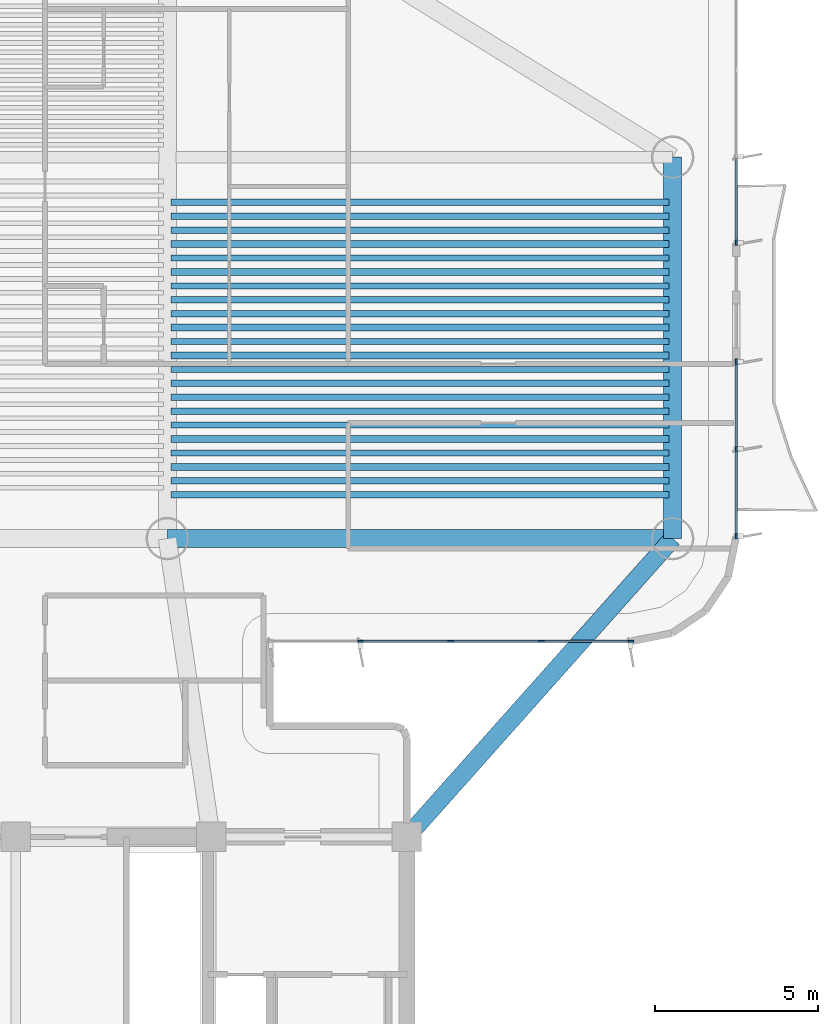
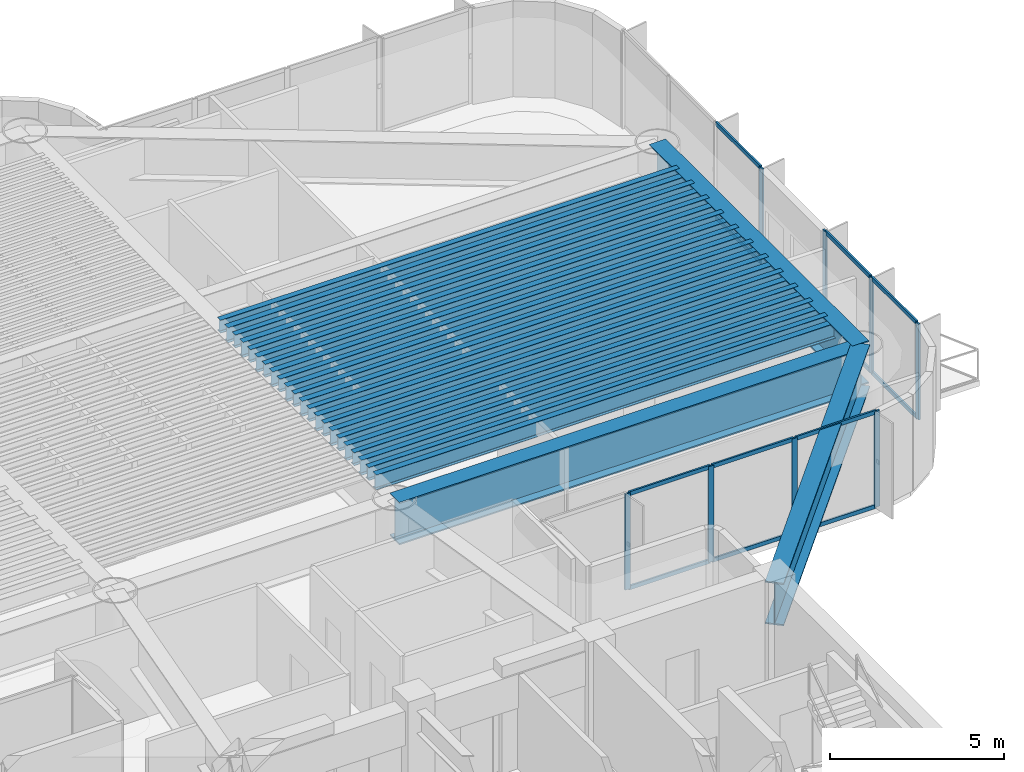
# One storey, part 4 of 15: 25 beams, 20 members, 3 elements without a shape of their own.
"""IFC4 building model written with IfcOpenShell, lengths in metres."""

from ifc_helpers import new_model, si_unit, direction, frame, origin, origin_2d, place, context, subcontext, project, spatial, rectangle, i_section, extrude, source, transform, mapped, material, layer, layer_set, material_profile, profile_set, type_object, element, aggregate, save


model = new_model("IFC4")

# Units and contexts
model_context = context("Model", 3, precision=1e-05, world=origin(), true_north=direction((0.0, 1.0)))
body_context = subcontext(model_context, "Body", "Model", "MODEL_VIEW")
ifc_project = project(units=[si_unit("LENGTHUNIT", "METRE"), si_unit("AREAUNIT", "SQUARE_METRE"), si_unit("VOLUMEUNIT", "CUBIC_METRE"), si_unit("PLANEANGLEUNIT", "RADIAN"), si_unit("MASSUNIT", "GRAM", prefix="KILO")], contexts=[model_context])

# Site, building, storey
site_placement = place(None, origin())
site = spatial("IfcSite", under=ifc_project, at=site_placement, CompositionType="ELEMENT")
building_placement = place(site_placement, origin())
building = spatial("IfcBuilding", under=site, at=building_placement, Name="Brelvock Crest Care Tower", CompositionType="ELEMENT")
storey_placement = place(building_placement, frame((0.0, 0.0, 142.739990234375)))
storey = spatial("IfcBuildingStorey", under=building, at=storey_placement, Name="L36", CompositionType="ELEMENT", Elevation=142.739990234375)

# Beams
ifc_material_1 = material(Name="Steel Grade 350", Category="steel")
ifc_material_profile_1 = material_profile(ifc_material_1, i_section(OverallWidth=0.208984375, OverallDepth=0.532958984375, WebThickness=0.01025390625, FlangeThickness=0.015625, FilletRadius=0.013916015625, at=origin_2d()), Name="530UB92.4")
ifc_profile_set_1 = profile_set([ifc_material_profile_1], Name="Steel Grade 350")
beam_type_1 = type_object("IfcBeamType", Name="BM-G2", PredefinedType="BEAM", material=ifc_profile_set_1)
shared_shape_1 = source(origin(), body_context, "Body", "SweptSolid", [
    extrude(i_section(OverallWidth=0.208984375, OverallDepth=0.532958984375, WebThickness=0.01025390625, FlangeThickness=0.015625, FilletRadius=0.013916015625, at=origin_2d()), origin(), (0.0, 0.0, 1.0), 15.27001953125),
])
for number, where, z_axis, x_axis, name in (
    (1, (40.764892578125, 28.49560546875, 3.10546875), (1.0, 0.0, 0.0), (0.0, 1.0, 0.0), "BM-JE-L36-3"),
    (2, (40.764892578125, 29.349609375, 3.10546875), (1.0, 0.0, 0.0), (0.0, 1.0, 0.0), "BM-JE-L36-5"),
    (3, (40.764892578125, 30.20361328125, 3.10546875), (1.0, 0.0, 0.0), (0.0, 1.0, 0.0), "BM-JE-L36-7"),
    (4, (40.764892578125, 31.057861328125, 3.10546875), (1.0, 0.0, 0.0), (0.0, 1.0, 0.0), "BM-JE-L36-9"),
    (5, (40.764892578125, 31.911865234375, 3.10546875), (1.0, 0.0, 0.0), (0.0, 1.0, 0.0), "BM-JE-L36-11"),
    (6, (40.764892578125, 32.76611328125, 3.10546875), (1.0, 0.0, 0.0), (0.0, 1.0, 0.0), "BM-JE-L36-13"),
    (7, (40.764892578125, 33.6201171875, 3.10546875), (1.0, 0.0, 0.0), (0.0, 1.0, 0.0), "BM-JE-L36-15"),
    (8, (40.764892578125, 34.47412109375, 3.10546875), (1.0, 0.0, 0.0), (0.0, 1.0, 0.0), "BM-JE-L36-17"),
    (9, (40.764892578125, 35.328369140625, 3.10546875), (1.0, 0.0, 0.0), (0.0, 1.0, 0.0), "BM-JE-L36-19"),
    (10, (40.764892578125, 36.182373046875, 3.10546875), (1.0, 0.0, 0.0), (0.0, 1.0, 0.0), "BM-JE-L36-21"),
    (11, (40.764892578125, 37.03662109375, 3.10546875), (1.0, 0.0, 0.0), (0.0, 1.0, 0.0), "BM-JE-L36-23"),
):
    element("IfcBeam", number, at=place(storey_placement, frame(where, z_axis=z_axis, x_axis=x_axis)), inside=storey, type_object=beam_type_1, Name=name, PredefinedType="BEAM", context=body_context, shape_type="MappedRepresentation", body=[
        mapped(shared_shape_1, transform((0.0, 0.0, 0.0), x_axis=(1.0, 0.0, 0.0), y_axis=(0.0, 1.0, 0.0), z_axis=(0.0, 0.0, 1.0), scale=1.0)),
    ])
ifc_material_profile_2 = material_profile(ifc_material_1, i_section(OverallWidth=0.19091796875, OverallDepth=0.4599609375, WebThickness=0.010009765625, FlangeThickness=0.01611328125, FilletRadius=0.011474609375, at=origin_2d()), Name="460UB82.1")
ifc_profile_set_2 = profile_set([ifc_material_profile_2], Name="Steel Grade 350")
beam_type_2 = type_object("IfcBeamType", Name="BM-G3", PredefinedType="BEAM", material=ifc_profile_set_2)
shared_shape_2 = source(origin(), body_context, "Body", "SweptSolid", [
    extrude(i_section(OverallWidth=0.19091796875, OverallDepth=0.4599609375, WebThickness=0.010009765625, FlangeThickness=0.01611328125, FilletRadius=0.011474609375, at=origin_2d()), origin(), (0.0, 0.0, 1.0), 15.27001953125),
])
for number, where, z_axis, x_axis, name in (
    (12, (40.764892578125, 28.922607421875, 3.14208984375), (1.0, 0.0, 0.0), (0.0, 1.0, 0.0), "BM-JE-L36-4"),
    (13, (40.764892578125, 29.776611328125, 3.14208984375), (1.0, 0.0, 0.0), (0.0, 1.0, 0.0), "BM-JE-L36-6"),
    (14, (40.764892578125, 30.630615234375, 3.14208984375), (1.0, 0.0, 0.0), (0.0, 1.0, 0.0), "BM-JE-L36-8"),
    (15, (40.764892578125, 31.48486328125, 3.14208984375), (1.0, 0.0, 0.0), (0.0, 1.0, 0.0), "BM-JE-L36-10"),
    (16, (40.764892578125, 32.3388671875, 3.14208984375), (1.0, 0.0, 0.0), (0.0, 1.0, 0.0), "BM-JE-L36-12"),
    (17, (40.764892578125, 33.193115234375, 3.14208984375), (1.0, 0.0, 0.0), (0.0, 1.0, 0.0), "BM-JE-L36-14"),
    (18, (40.764892578125, 34.047119140625, 3.14208984375), (1.0, 0.0, 0.0), (0.0, 1.0, 0.0), "BM-JE-L36-16"),
    (19, (40.764892578125, 34.901123046875, 3.14208984375), (1.0, 0.0, 0.0), (0.0, 1.0, 0.0), "BM-JE-L36-18"),
    (20, (40.764892578125, 35.75537109375, 3.14208984375), (1.0, 0.0, 0.0), (0.0, 1.0, 0.0), "BM-JE-L36-20"),
    (21, (40.764892578125, 36.609619140625, 3.14208984375), (1.0, 0.0, 0.0), (0.0, 1.0, 0.0), "BM-JE-L36-22"),
    (22, (40.764892578125, 37.46337890625, 3.14208984375), (1.0, 0.0, 0.0), (0.0, 1.0, 0.0), "BM-JE-L36-24"),
):
    element("IfcBeam", number, at=place(storey_placement, frame(where, z_axis=z_axis, x_axis=x_axis)), inside=storey, type_object=beam_type_2, Name=name, PredefinedType="BEAM", context=body_context, shape_type="MappedRepresentation", body=[
        mapped(shared_shape_2, transform((0.0, 0.0, 0.0), x_axis=(1.0, 0.0, 0.0), y_axis=(0.0, 1.0, 0.0), z_axis=(0.0, 0.0, 1.0), scale=1.0)),
    ])
ifc_material_profile_3 = material_profile(ifc_material_1, i_section(OverallWidth=0.550048828125, OverallDepth=1.5, WebThickness=0.02392578125, FlangeThickness=0.044921875, at=origin_2d()), Name="1500TG580")
ifc_profile_set_3 = profile_set([ifc_material_profile_3], Name="Steel Grade 350")
beam_type_3 = type_object("IfcBeamType", Name="BM-TG2", PredefinedType="USERDEFINED", material=ifc_profile_set_3)
shared_shape_3 = source(origin(), body_context, "Body", "SweptSolid", [
    extrude(i_section(OverallWidth=0.550048828125, OverallDepth=1.5, WebThickness=0.02392578125, FlangeThickness=0.044921875, at=origin_2d()), origin(), (0.0, 0.0, 1.0), 11.7001953125),
])
beam_1_placement = place(storey_placement, frame((56.14990234375, 27.14990234375, 2.6220703125), z_axis=(0.0, 1.0, 0.0), x_axis=(-1.0, 0.0, 0.0)))
element("IfcBeam", 23, at=beam_1_placement, inside=storey, type_object=beam_type_3, Name="BM-TWR-L36-02", ObjectType="GIRDER", PredefinedType="USERDEFINED", context=body_context, shape_type="MappedRepresentation", body=[
    mapped(shared_shape_3, transform((0.0, 0.0, 0.0), x_axis=(1.0, 0.0, 0.0), y_axis=(0.0, 1.0, 0.0), z_axis=(0.0, 0.0, 1.0), scale=1.0)),
])
shared_shape_4 = source(origin(), body_context, "Body", "SweptSolid", [
    extrude(i_section(OverallWidth=0.550048828125, OverallDepth=1.5, WebThickness=0.02392578125, FlangeThickness=0.044921875, at=origin_2d()), origin(), (0.0, 0.0, 1.0), 15.5),
])
beam_2_placement = place(storey_placement, frame((40.64990234375, 27.14990234375, 2.6220703125), z_axis=(1.0, 0.0, 0.0), x_axis=(0.0, 1.0, 0.0)))
element("IfcBeam", 24, at=beam_2_placement, inside=storey, type_object=beam_type_3, Name="BM-TWR-L36-04", ObjectType="GIRDER", PredefinedType="USERDEFINED", context=body_context, shape_type="MappedRepresentation", body=[
    mapped(shared_shape_4, transform((0.0, 0.0, 0.0), x_axis=(1.0, 0.0, 0.0), y_axis=(0.0, 1.0, 0.0), z_axis=(0.0, 0.0, 1.0), scale=1.0)),
])
shared_shape_5 = source(origin(), body_context, "Body", "SweptSolid", [
    extrude(i_section(OverallWidth=0.550048828125, OverallDepth=1.5, WebThickness=0.02392578125, FlangeThickness=0.044921875, at=origin_2d()), origin(), (0.0, 0.0, 1.0), 12.253173828125),
])
beam_3_placement = place(storey_placement, frame((48.0, 18.0, 2.6220703125), z_axis=(0.665122829149, 0.746733970129, 0.0), x_axis=(-0.746733970129, 0.665122829149, 0.0)))
element("IfcBeam", 25, at=beam_3_placement, inside=storey, type_object=beam_type_3, Name="BM-THRO-E-L36", ObjectType="GIRDER", PredefinedType="USERDEFINED", context=body_context, shape_type="MappedRepresentation", body=[
    mapped(shared_shape_5, transform((0.0, 0.0, 0.0), x_axis=(1.0, 0.0, 0.0), y_axis=(0.0, 1.0, 0.0), z_axis=(0.0, 0.0, 1.0), scale=1.0)),
])

# Curtain wall, members
ifc_material_2 = material(Name="Dark Glass Double Glazed Low-E", Category="glass")
ifc_layer = layer(ifc_material_2, 0.2099609375, Name="CWS-3")
ifc_layer_set = layer_set([ifc_layer], Name="Dark Glass Double Glazed Low-E")
curtain_wall_type = type_object("IfcCurtainWallType", Name="CWS-3", PredefinedType="NOTDEFINED", material=ifc_layer_set)
curtain_wall_1_placement = place(storey_placement, origin())
curtain_wall_1 = element("IfcCurtainWall", 26, at=curtain_wall_1_placement, inside=storey, type_object=curtain_wall_type, Name="L36 Curtain Wall E44", PredefinedType="NOTDEFINED")
ifc_material_3 = material(Name="Aluminium 6063-T6", Category="aluminium")
ifc_material_profile_4 = material_profile(ifc_material_3, rectangle(XDim=0.06005859375, YDim=0.139892578125, at=origin_2d()), Name="ALU60x140")
ifc_profile_set_4 = profile_set([ifc_material_profile_4], Name="Aluminium 6063-T6")
member_type_1 = type_object("IfcMemberType", Name="CWT-2", PredefinedType="USERDEFINED", material=ifc_profile_set_4)
shared_shape_6 = source(origin(), body_context, "Body", "SweptSolid", [
    extrude(rectangle(XDim=0.06005859375, YDim=0.139892578125, at=origin_2d()), origin(), (0.0, 0.0, 1.0), 2.715087890625),
])
member_1_placement = place(storey_placement, frame((52.094970703125, 24.0, 0.030029296875), z_axis=(-1.0, 0.0, 0.0), x_axis=(0.0, -1.0, 0.0)))
member_1 = element("IfcMember", 27, at=member_1_placement, type_object=member_type_1, Name="CW-3 transom 2.1", ObjectType="TRANSOM", PredefinedType="USERDEFINED", context=body_context, shape_type="MappedRepresentation", body=[
    mapped(shared_shape_6, transform((0.0, 0.0, 0.0), x_axis=(1.0, 0.0, 0.0), y_axis=(0.0, 1.0, 0.0), z_axis=(0.0, 0.0, 1.0), scale=1.0)),
])
member_2_placement = place(storey_placement, frame((52.094970703125, 24.0, 3.342041015625), z_axis=(-1.0, 0.0, 0.0), x_axis=(0.0, -1.0, 0.0)))
member_2 = element("IfcMember", 28, at=member_2_placement, type_object=member_type_1, Name="CW-3 transom 2.2", ObjectType="TRANSOM", PredefinedType="USERDEFINED", context=body_context, shape_type="MappedRepresentation", body=[
    mapped(shared_shape_6, transform((0.0, 0.0, 0.0), x_axis=(1.0, 0.0, 0.0), y_axis=(0.0, 1.0, 0.0), z_axis=(0.0, 0.0, 1.0), scale=1.0)),
])
member_3_placement = place(storey_placement, frame((49.320068359375, 24.0, 0.030029296875), z_axis=(-1.0, 0.0, 0.0), x_axis=(0.0, -1.0, 0.0)))
member_3 = element("IfcMember", 29, at=member_3_placement, type_object=member_type_1, Name="CW-3 transom 3.1", ObjectType="TRANSOM", PredefinedType="USERDEFINED", context=body_context, shape_type="MappedRepresentation", body=[
    mapped(shared_shape_6, transform((0.0, 0.0, 0.0), x_axis=(1.0, 0.0, 0.0), y_axis=(0.0, 1.0, 0.0), z_axis=(0.0, 0.0, 1.0), scale=1.0)),
])
member_4_placement = place(storey_placement, frame((49.320068359375, 24.0, 3.342041015625), z_axis=(-1.0, 0.0, 0.0), x_axis=(0.0, -1.0, 0.0)))
member_4 = element("IfcMember", 30, at=member_4_placement, type_object=member_type_1, Name="CW-3 transom 3.2", ObjectType="TRANSOM", PredefinedType="USERDEFINED", context=body_context, shape_type="MappedRepresentation", body=[
    mapped(shared_shape_6, transform((0.0, 0.0, 0.0), x_axis=(1.0, 0.0, 0.0), y_axis=(0.0, 1.0, 0.0), z_axis=(0.0, 0.0, 1.0), scale=1.0)),
])
shared_shape_7 = source(origin(), body_context, "Body", "SweptSolid", [
    extrude(rectangle(XDim=0.06005859375, YDim=0.139892578125, at=origin_2d()), origin(), (0.0, 0.0, 1.0), 2.68505859375),
])
member_5_placement = place(storey_placement, frame((54.840087890625, 24.0, 0.030029296875), z_axis=(-1.0, 0.0, 0.0), x_axis=(0.0, -1.0, 0.0)))
member_5 = element("IfcMember", 31, at=member_5_placement, type_object=member_type_1, Name="CW-3 transom 1.1", ObjectType="TRANSOM", PredefinedType="USERDEFINED", context=body_context, shape_type="MappedRepresentation", body=[
    mapped(shared_shape_7, transform((0.0, 0.0, 0.0), x_axis=(1.0, 0.0, 0.0), y_axis=(0.0, 1.0, 0.0), z_axis=(0.0, 0.0, 1.0), scale=1.0)),
])
member_6_placement = place(storey_placement, frame((54.840087890625, 24.0, 3.342041015625), z_axis=(-1.0, 0.0, 0.0), x_axis=(0.0, -1.0, 0.0)))
member_6 = element("IfcMember", 32, at=member_6_placement, type_object=member_type_1, Name="CW-3 transom 1.2", ObjectType="TRANSOM", PredefinedType="USERDEFINED", context=body_context, shape_type="MappedRepresentation", body=[
    mapped(shared_shape_7, transform((0.0, 0.0, 0.0), x_axis=(1.0, 0.0, 0.0), y_axis=(0.0, 1.0, 0.0), z_axis=(0.0, 0.0, 1.0), scale=1.0)),
])

curtain_wall_2_placement = place(storey_placement, origin())
curtain_wall_2 = element("IfcCurtainWall", 33, at=curtain_wall_2_placement, inside=storey, type_object=curtain_wall_type, Name="L36 Curtain Wall E39B", PredefinedType="NOTDEFINED")
shared_shape_8 = source(origin(), body_context, "Body", "SweptSolid", [
    extrude(rectangle(XDim=0.06005859375, YDim=0.139892578125, at=origin_2d()), origin(), (0.0, 0.0, 1.0), 2.610107421875),
])
member_7_placement = place(storey_placement, frame((58.10009765625, 32.5400390625, 0.030029296875), z_axis=(0.0, -1.0, 0.0), x_axis=(1.0, 0.0, 0.0)))
member_7 = element("IfcMember", 34, at=member_7_placement, type_object=member_type_1, Name="CW-3 transom 1.1", ObjectType="TRANSOM", PredefinedType="USERDEFINED", context=body_context, shape_type="MappedRepresentation", body=[
    mapped(shared_shape_8, transform((0.0, 0.0, 0.0), x_axis=(1.0, 0.0, 0.0), y_axis=(0.0, 1.0, 0.0), z_axis=(0.0, 0.0, 1.0), scale=1.0)),
])
member_8_placement = place(storey_placement, frame((58.10009765625, 32.5400390625, 3.342041015625), z_axis=(0.0, -1.0, 0.0), x_axis=(1.0, 0.0, 0.0)))
member_8 = element("IfcMember", 35, at=member_8_placement, type_object=member_type_1, Name="CW-3 transom 1.2", ObjectType="TRANSOM", PredefinedType="USERDEFINED", context=body_context, shape_type="MappedRepresentation", body=[
    mapped(shared_shape_8, transform((0.0, 0.0, 0.0), x_axis=(1.0, 0.0, 0.0), y_axis=(0.0, 1.0, 0.0), z_axis=(0.0, 0.0, 1.0), scale=1.0)),
])
member_9_placement = place(storey_placement, frame((58.10009765625, 29.8701171875, 0.030029296875), z_axis=(0.0, -1.0, 0.0), x_axis=(1.0, 0.0, 0.0)))
member_9 = element("IfcMember", 36, at=member_9_placement, type_object=member_type_1, Name="CW-3 transom 2.1", ObjectType="TRANSOM", PredefinedType="USERDEFINED", context=body_context, shape_type="MappedRepresentation", body=[
    mapped(shared_shape_8, transform((0.0, 0.0, 0.0), x_axis=(1.0, 0.0, 0.0), y_axis=(0.0, 1.0, 0.0), z_axis=(0.0, 0.0, 1.0), scale=1.0)),
])
member_10_placement = place(storey_placement, frame((58.10009765625, 29.8701171875, 3.342041015625), z_axis=(0.0, -1.0, 0.0), x_axis=(1.0, 0.0, 0.0)))
member_10 = element("IfcMember", 37, at=member_10_placement, type_object=member_type_1, Name="CW-3 transom 2.2", ObjectType="TRANSOM", PredefinedType="USERDEFINED", context=body_context, shape_type="MappedRepresentation", body=[
    mapped(shared_shape_8, transform((0.0, 0.0, 0.0), x_axis=(1.0, 0.0, 0.0), y_axis=(0.0, 1.0, 0.0), z_axis=(0.0, 0.0, 1.0), scale=1.0)),
])

curtain_wall_3_placement = place(storey_placement, origin())
curtain_wall_3 = element("IfcCurtainWall", 38, at=curtain_wall_3_placement, inside=storey, type_object=curtain_wall_type, Name="L36 Curtain Wall E39A", PredefinedType="NOTDEFINED")
shared_shape_9 = source(origin(), body_context, "Body", "SweptSolid", [
    extrude(rectangle(XDim=0.06005859375, YDim=0.139892578125, at=origin_2d()), origin(), (0.0, 0.0, 1.0), 2.57666015625),
])
member_11_placement = place(storey_placement, frame((58.10009765625, 38.836669921875, 0.030029296875), z_axis=(0.0, -1.0, 0.0), x_axis=(1.0, 0.0, 0.0)))
member_11 = element("IfcMember", 39, at=member_11_placement, type_object=member_type_1, Name="CW-3 transom 3.1", ObjectType="TRANSOM", PredefinedType="USERDEFINED", context=body_context, shape_type="MappedRepresentation", body=[
    mapped(shared_shape_9, transform((0.0, 0.0, 0.0), x_axis=(1.0, 0.0, 0.0), y_axis=(0.0, 1.0, 0.0), z_axis=(0.0, 0.0, 1.0), scale=1.0)),
])
member_12_placement = place(storey_placement, frame((58.10009765625, 38.836669921875, 3.342041015625), z_axis=(0.0, -1.0, 0.0), x_axis=(1.0, 0.0, 0.0)))
member_12 = element("IfcMember", 40, at=member_12_placement, type_object=member_type_1, Name="CW-3 transom 3.2", ObjectType="TRANSOM", PredefinedType="USERDEFINED", context=body_context, shape_type="MappedRepresentation", body=[
    mapped(shared_shape_9, transform((0.0, 0.0, 0.0), x_axis=(1.0, 0.0, 0.0), y_axis=(0.0, 1.0, 0.0), z_axis=(0.0, 0.0, 1.0), scale=1.0)),
])
ifc_material_profile_5 = material_profile(ifc_material_3, rectangle(XDim=0.06005859375, YDim=0.179931640625, at=origin_2d()), Name="ALU60x180")
ifc_profile_set_5 = profile_set([ifc_material_profile_5], Name="Aluminium 6063-T6")
member_type_2 = type_object("IfcMemberType", Name="CWM-2", PredefinedType="MULLION", material=ifc_profile_set_5)
shared_shape_10 = source(origin(), body_context, "Body", "SweptSolid", [
    extrude(rectangle(XDim=0.06005859375, YDim=0.179931640625, at=origin_2d()), origin(), (0.0, 0.0, 1.0), 3.3720703125),
])
member_13_placement = place(storey_placement, frame((58.10009765625, 36.22998046875, 0.0), z_axis=(0.0, 0.0, 1.0), x_axis=(1.0, 0.0, 0.0)))
member_13 = element("IfcMember", 41, at=member_13_placement, type_object=member_type_2, Name="CW-3 mullion 4", PredefinedType="MULLION", context=body_context, shape_type="MappedRepresentation", body=[
    mapped(shared_shape_10, transform((0.0, 0.0, 0.0), x_axis=(1.0, 0.0, 0.0), y_axis=(0.0, 1.0, 0.0), z_axis=(0.0, 0.0, 1.0), scale=1.0)),
])
aggregate(curtain_wall_3, [member_13, member_11, member_12])

# Member
member_14_placement = place(storey_placement, frame((58.10009765625, 32.570068359375, 0.0), z_axis=(0.0, 0.0, 1.0), x_axis=(1.0, 0.0, 0.0)))
member_14 = element("IfcMember", 42, at=member_14_placement, type_object=member_type_2, Name="CW-3 mullion 1", PredefinedType="MULLION", context=body_context, shape_type="MappedRepresentation", body=[
    mapped(shared_shape_10, transform((0.0, 0.0, 0.0), x_axis=(1.0, 0.0, 0.0), y_axis=(0.0, 1.0, 0.0), z_axis=(0.0, 0.0, 1.0), scale=1.0)),
])

member_15_placement = place(storey_placement, frame((58.10009765625, 29.89990234375, 0.0), z_axis=(0.0, 0.0, 1.0), x_axis=(1.0, 0.0, 0.0)))
member_15 = element("IfcMember", 43, at=member_15_placement, type_object=member_type_2, Name="CW-3 mullion 2", PredefinedType="MULLION", context=body_context, shape_type="MappedRepresentation", body=[
    mapped(shared_shape_10, transform((0.0, 0.0, 0.0), x_axis=(1.0, 0.0, 0.0), y_axis=(0.0, 1.0, 0.0), z_axis=(0.0, 0.0, 1.0), scale=1.0)),
])

member_16_placement = place(storey_placement, frame((58.10009765625, 27.22998046875, 0.0), z_axis=(0.0, 0.0, 1.0), x_axis=(1.0, 0.0, 0.0)))
member_16 = element("IfcMember", 44, at=member_16_placement, type_object=member_type_2, Name="CW-3 mullion 3", PredefinedType="MULLION", context=body_context, shape_type="MappedRepresentation", body=[
    mapped(shared_shape_10, transform((0.0, 0.0, 0.0), x_axis=(1.0, 0.0, 0.0), y_axis=(0.0, 1.0, 0.0), z_axis=(0.0, 0.0, 1.0), scale=1.0)),
])

aggregate(curtain_wall_2, [member_14, member_15, member_16, member_7, member_8, member_9, member_10])

member_17_placement = place(storey_placement, frame((54.8701171875, 24.0, 0.0), z_axis=(0.0, 0.0, 1.0), x_axis=(0.0, -1.0, 0.0)))
member_17 = element("IfcMember", 45, at=member_17_placement, type_object=member_type_2, Name="CW-3 mullion 1", PredefinedType="MULLION", context=body_context, shape_type="MappedRepresentation", body=[
    mapped(shared_shape_10, transform((0.0, 0.0, 0.0), x_axis=(1.0, 0.0, 0.0), y_axis=(0.0, 1.0, 0.0), z_axis=(0.0, 0.0, 1.0), scale=1.0)),
])

member_18_placement = place(storey_placement, frame((52.125, 24.0, 0.0), z_axis=(0.0, 0.0, 1.0), x_axis=(0.0, -1.0, 0.0)))
member_18 = element("IfcMember", 46, at=member_18_placement, type_object=member_type_2, Name="CW-3 mullion 2", PredefinedType="MULLION", context=body_context, shape_type="MappedRepresentation", body=[
    mapped(shared_shape_10, transform((0.0, 0.0, 0.0), x_axis=(1.0, 0.0, 0.0), y_axis=(0.0, 1.0, 0.0), z_axis=(0.0, 0.0, 1.0), scale=1.0)),
])

member_19_placement = place(storey_placement, frame((49.35009765625, 24.0, 0.0), z_axis=(0.0, 0.0, 1.0), x_axis=(0.0, -1.0, 0.0)))
member_19 = element("IfcMember", 47, at=member_19_placement, type_object=member_type_2, Name="CW-3 mullion 3", PredefinedType="MULLION", context=body_context, shape_type="MappedRepresentation", body=[
    mapped(shared_shape_10, transform((0.0, 0.0, 0.0), x_axis=(1.0, 0.0, 0.0), y_axis=(0.0, 1.0, 0.0), z_axis=(0.0, 0.0, 1.0), scale=1.0)),
])

member_20_placement = place(storey_placement, frame((46.574951171875, 24.0, 0.0), z_axis=(0.0, 0.0, 1.0), x_axis=(0.0, -1.0, 0.0)))
member_20 = element("IfcMember", 48, at=member_20_placement, type_object=member_type_2, Name="CW-3 mullion 4", PredefinedType="MULLION", context=body_context, shape_type="MappedRepresentation", body=[
    mapped(shared_shape_10, transform((0.0, 0.0, 0.0), x_axis=(1.0, 0.0, 0.0), y_axis=(0.0, 1.0, 0.0), z_axis=(0.0, 0.0, 1.0), scale=1.0)),
])

aggregate(curtain_wall_1, [member_17, member_18, member_19, member_20, member_5, member_6, member_1, member_2, member_3, member_4])

save(model, "model.ifc")
